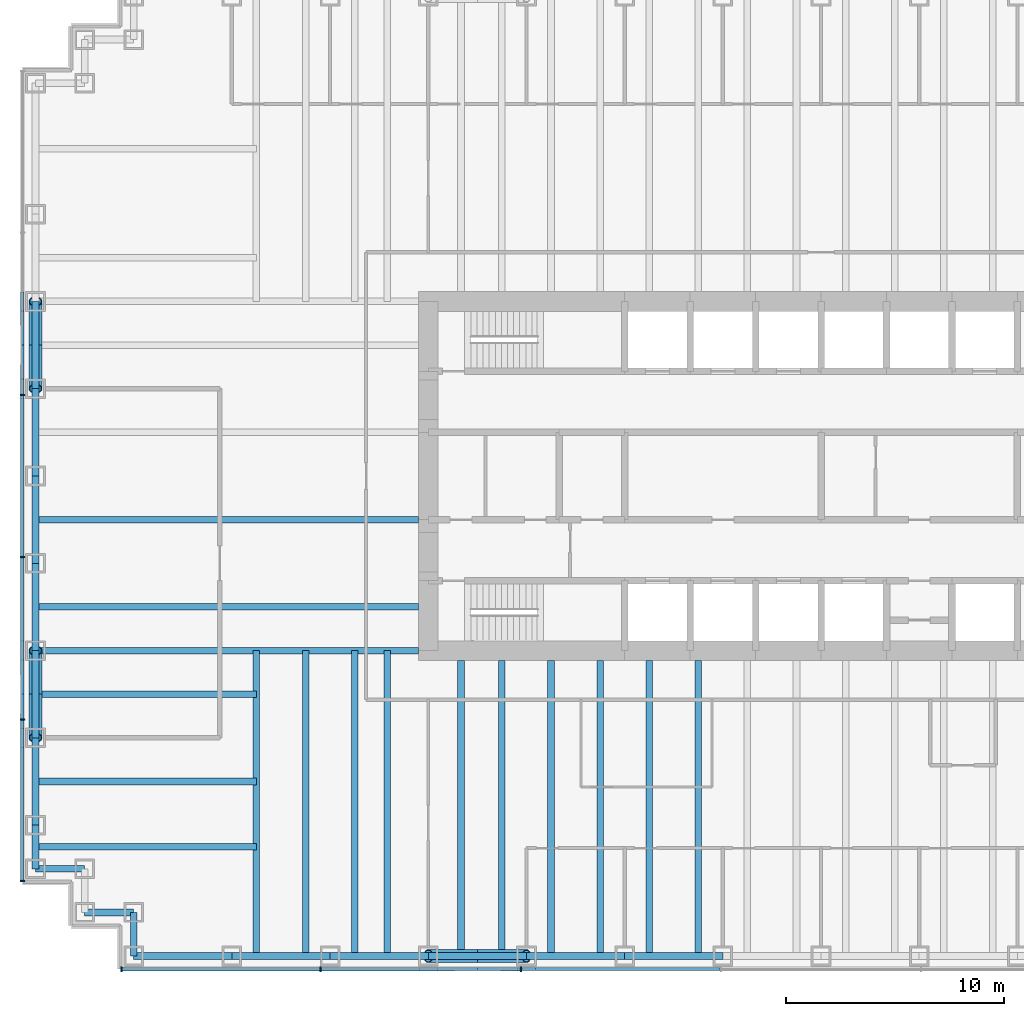
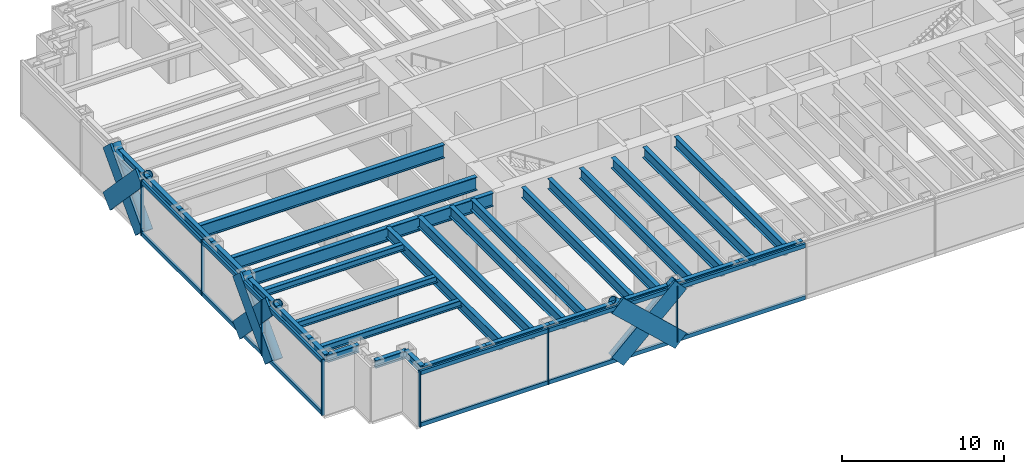
# One storey, part 2 of 19: 32 beams, 31 members, 2 elements without a shape of their own.
"""IFC4 building model written with IfcOpenShell, lengths in metres."""

from ifc_helpers import new_model, si_unit, direction, frame, origin, origin_2d, place, context, subcontext, project, spatial, rectangle, hollow_circle, i_section, extrude, material, material_profile, profile_set, type_object, element, aggregate, save


model = new_model("IFC4")

# Units and contexts
model_context = context("Model", 3, precision=1e-05, world=origin(), true_north=direction((0.0, 1.0)))
body_context = subcontext(model_context, "Body", "Model", "MODEL_VIEW")
ifc_project = project(units=[si_unit("LENGTHUNIT", "METRE"), si_unit("AREAUNIT", "SQUARE_METRE"), si_unit("VOLUMEUNIT", "CUBIC_METRE"), si_unit("PLANEANGLEUNIT", "RADIAN"), si_unit("MASSUNIT", "GRAM", prefix="KILO")], contexts=[model_context])

# Site, building, storey
site_placement = place(None, origin())
site = spatial("IfcSite", under=ifc_project, at=site_placement, CompositionType="ELEMENT")
building_placement = place(site_placement, origin())
building = spatial("IfcBuilding", under=site, at=building_placement, Name="Rheinbord Bourse Tower", CompositionType="ELEMENT")
storey_placement = place(building_placement, frame((0.0, 0.0, 167.699951171875)))
storey = spatial("IfcBuildingStorey", under=building, at=storey_placement, Name="L37", CompositionType="ELEMENT", Elevation=167.699951171875)

# Curtain wall, members
ifc_material_1 = material(Name="Dark glass and black aluminium", Category="aluminium")
curtain_wall_type = type_object("IfcCurtainWallType", Name="CW2 DARK GLASS CURTAIN WALL", PredefinedType="USERDEFINED", material=ifc_material_1)
curtain_wall_1_placement = place(storey_placement, origin())
curtain_wall_1 = element("IfcCurtainWall", 1, at=curtain_wall_1_placement, inside=storey, type_object=curtain_wall_type, Name="Curtain wall CW2 S L37", ObjectType="UNITISED CURTAIN WALL", PredefinedType="USERDEFINED")
ifc_material_2 = material(Name="Black anodised aluminium", Category="aluminium")
ifc_material_profile_1 = material_profile(ifc_material_2, rectangle(XDim=0.159912109375, YDim=1.2099609375, at=origin_2d()), Name="CW2 DIAGONAL MULLION 1210x160")
ifc_profile_set_1 = profile_set([ifc_material_profile_1], Name="Black anodised aluminium")
member_type_1 = type_object("IfcMemberType", Name="CW2 BLACK DIAGONAL MULLION", PredefinedType="USERDEFINED", material=ifc_profile_set_1)
member_1_placement = place(storey_placement, frame((22.5, 1.39990234375, 0.0), z_axis=(-0.73105922506, 0.0, 0.682314010889), x_axis=(0.0, -1.0, 0.0)))
member_1 = element("IfcMember", 2, at=member_1_placement, type_object=member_type_1, Name="CW2 diagonal mullion b", ObjectType="DIAGONAL MULLION", PredefinedType="USERDEFINED", context=body_context, shape_type="SweptSolid", body=[
    extrude(rectangle(XDim=0.159912109375, YDim=1.2099609375, at=origin_2d()), origin(), (0.0, 0.0, 1.0), 6.155517578125),
])
member_2_placement = place(storey_placement, frame((18.0, 1.39990234375, 0.0), z_axis=(0.73105922506, 0.0, 0.682314010889), x_axis=(0.0, 1.0, 0.0)))
member_2 = element("IfcMember", 3, at=member_2_placement, type_object=member_type_1, Name="CW2 diagonal mullion d", ObjectType="DIAGONAL MULLION", PredefinedType="USERDEFINED", context=body_context, shape_type="SweptSolid", body=[
    extrude(rectangle(XDim=0.159912109375, YDim=1.2099609375, at=origin_2d()), origin(), (0.0, 0.0, 1.0), 6.155517578125),
])

curtain_wall_2_placement = place(storey_placement, origin())
curtain_wall_2 = element("IfcCurtainWall", 4, at=curtain_wall_2_placement, inside=storey, type_object=curtain_wall_type, Name="Curtain wall CW2 W L37", ObjectType="UNITISED CURTAIN WALL", PredefinedType="USERDEFINED")
member_3_placement = place(storey_placement, frame((-0.60009765625, 12.0, 0.0), z_axis=(0.0, 0.689659376744, 0.724133926887), x_axis=(-1.0, 0.0, 0.0)))
member_3 = element("IfcMember", 5, at=member_3_placement, type_object=member_type_1, Name="CW2 diagonal mullion a", ObjectType="DIAGONAL MULLION", PredefinedType="USERDEFINED", context=body_context, shape_type="SweptSolid", body=[
    extrude(rectangle(XDim=0.159912109375, YDim=1.2099609375, at=origin_2d()), origin(), (0.0, 0.0, 1.0), 5.800048828125),
])
member_4_placement = place(storey_placement, frame((-0.60009765625, 32.0, 0.0), z_axis=(0.0, -0.689659376744, 0.724133926887), x_axis=(1.0, 0.0, 0.0)))
member_4 = element("IfcMember", 6, at=member_4_placement, type_object=member_type_1, Name="CW2 diagonal mullion b", ObjectType="DIAGONAL MULLION", PredefinedType="USERDEFINED", context=body_context, shape_type="SweptSolid", body=[
    extrude(rectangle(XDim=0.159912109375, YDim=1.2099609375, at=origin_2d()), origin(), (0.0, 0.0, 1.0), 5.800048828125),
])
member_5_placement = place(storey_placement, frame((-0.60009765625, 28.0, 0.0), z_axis=(0.0, 0.689659376744, 0.724133926887), x_axis=(-1.0, 0.0, 0.0)))
member_5 = element("IfcMember", 7, at=member_5_placement, type_object=member_type_1, Name="CW2 diagonal mullion c", ObjectType="DIAGONAL MULLION", PredefinedType="USERDEFINED", context=body_context, shape_type="SweptSolid", body=[
    extrude(rectangle(XDim=0.159912109375, YDim=1.2099609375, at=origin_2d()), origin(), (0.0, 0.0, 1.0), 5.800048828125),
])
member_6_placement = place(storey_placement, frame((-0.60009765625, 16.0, 0.0), z_axis=(0.0, -0.689659376744, 0.724133926887), x_axis=(1.0, 0.0, 0.0)))
member_6 = element("IfcMember", 8, at=member_6_placement, type_object=member_type_1, Name="CW2 diagonal mullion d", ObjectType="DIAGONAL MULLION", PredefinedType="USERDEFINED", context=body_context, shape_type="SweptSolid", body=[
    extrude(rectangle(XDim=0.159912109375, YDim=1.2099609375, at=origin_2d()), origin(), (0.0, 0.0, 1.0), 5.800048828125),
])

# Member
ifc_material_3 = material(Name="Black anodised aluminium", Category="aluminium")
ifc_material_profile_2 = material_profile(ifc_material_3, rectangle(XDim=0.219970703125, YDim=0.070068359375, at=origin_2d()), Name="CW2 MULLION 70x220")
ifc_profile_set_2 = profile_set([ifc_material_profile_2], Name="Black anodised aluminium")
member_type_2 = type_object("IfcMemberType", Name="CW2 BLACK MULLION", PredefinedType="MULLION", material=ifc_profile_set_2)
member_7_placement = place(storey_placement, frame((3.93505859375, 1.39990234375, 0.0), z_axis=(0.0, 0.0, 1.0), x_axis=(0.0, 1.0, 0.0)))
member_7 = element("IfcMember", 9, at=member_7_placement, type_object=member_type_2, Name="CW2 mullion 1", PredefinedType="MULLION", context=body_context, shape_type="SweptSolid", body=[
    extrude(rectangle(XDim=0.219970703125, YDim=0.070068359375, at=origin_2d()), origin(), (0.0, 0.0, 1.0), 4.199951171875),
])

member_8_placement = place(storey_placement, frame((13.071533203125, 1.39990234375, 0.0), z_axis=(0.0, 0.0, 1.0), x_axis=(0.0, 1.0, 0.0)))
member_8 = element("IfcMember", 10, at=member_8_placement, type_object=member_type_2, Name="CW2 mullion 2", PredefinedType="MULLION", context=body_context, shape_type="SweptSolid", body=[
    extrude(rectangle(XDim=0.219970703125, YDim=0.070068359375, at=origin_2d()), origin(), (0.0, 0.0, 1.0), 4.199951171875),
])

member_9_placement = place(storey_placement, frame((22.242919921875, 1.39990234375, 0.0), z_axis=(0.0, 0.0, 1.0), x_axis=(0.0, 1.0, 0.0)))
member_9 = element("IfcMember", 11, at=member_9_placement, type_object=member_type_2, Name="CW2 mullion 3", PredefinedType="MULLION", context=body_context, shape_type="SweptSolid", body=[
    extrude(rectangle(XDim=0.219970703125, YDim=0.070068359375, at=origin_2d()), origin(), (0.0, 0.0, 1.0), 4.199951171875),
])

member_10_placement = place(storey_placement, frame((-0.60009765625, 27.719970703125, 0.0), z_axis=(0.0, 0.0, 1.0), x_axis=(1.0, 0.0, 0.0)))
member_10 = element("IfcMember", 12, at=member_10_placement, type_object=member_type_2, Name="CW2 mullion 3", PredefinedType="MULLION", context=body_context, shape_type="SweptSolid", body=[
    extrude(rectangle(XDim=0.219970703125, YDim=0.070068359375, at=origin_2d()), origin(), (0.0, 0.0, 1.0), 4.199951171875),
])

member_11_placement = place(storey_placement, frame((-0.60009765625, 20.280029296875, 0.0), z_axis=(0.0, 0.0, 1.0), x_axis=(1.0, 0.0, 0.0)))
member_11 = element("IfcMember", 13, at=member_11_placement, type_object=member_type_2, Name="CW2 mullion 4", PredefinedType="MULLION", context=body_context, shape_type="SweptSolid", body=[
    extrude(rectangle(XDim=0.219970703125, YDim=0.070068359375, at=origin_2d()), origin(), (0.0, 0.0, 1.0), 4.199951171875),
])

member_12_placement = place(storey_placement, frame((-0.60009765625, 12.840087890625, 0.0), z_axis=(0.0, 0.0, 1.0), x_axis=(1.0, 0.0, 0.0)))
member_12 = element("IfcMember", 14, at=member_12_placement, type_object=member_type_2, Name="CW2 mullion 5", PredefinedType="MULLION", context=body_context, shape_type="SweptSolid", body=[
    extrude(rectangle(XDim=0.219970703125, YDim=0.070068359375, at=origin_2d()), origin(), (0.0, 0.0, 1.0), 4.199951171875),
])

member_13_placement = place(storey_placement, frame((-0.60009765625, 5.43505859375, 0.0), z_axis=(0.0, 0.0, 1.0), x_axis=(1.0, 0.0, 0.0)))
member_13 = element("IfcMember", 15, at=member_13_placement, type_object=member_type_2, Name="CW2 mullion 6", PredefinedType="MULLION", context=body_context, shape_type="SweptSolid", body=[
    extrude(rectangle(XDim=0.219970703125, YDim=0.070068359375, at=origin_2d()), origin(), (0.0, 0.0, 1.0), 4.199951171875),
])

ifc_material_4 = material(Name="Black anodised aluminium", Category="aluminium")
ifc_material_profile_3 = material_profile(ifc_material_4, rectangle(XDim=0.159912109375, YDim=0.300048828125, at=origin_2d()), Name="CW2 TRANSOM 300x160")
ifc_profile_set_3 = profile_set([ifc_material_profile_3], Name="Black anodised aluminium")
member_type_3 = type_object("IfcMemberType", Name="CW2 BLACK TRANSOM", PredefinedType="USERDEFINED", material=ifc_profile_set_3)
member_14_placement = place(storey_placement, frame((3.969970703125, 1.39990234375, 0.150146484375), z_axis=(1.0, 0.0, 0.0), x_axis=(0.0, 1.0, 0.0)))
member_14 = element("IfcMember", 16, at=member_14_placement, type_object=member_type_3, Name="CW2 transom 1.1", ObjectType="TRANSOM", PredefinedType="USERDEFINED", context=body_context, shape_type="SweptSolid", body=[
    extrude(rectangle(XDim=0.159912109375, YDim=0.300048828125, at=origin_2d()), origin(), (0.0, 0.0, 1.0), 9.06640625),
])

member_15_placement = place(storey_placement, frame((3.969970703125, 1.39990234375, 4.050048828125), z_axis=(1.0, 0.0, 0.0), x_axis=(0.0, 1.0, 0.0)))
member_15 = element("IfcMember", 17, at=member_15_placement, type_object=member_type_3, Name="CW2 transom 1.2", ObjectType="TRANSOM", PredefinedType="USERDEFINED", context=body_context, shape_type="SweptSolid", body=[
    extrude(rectangle(XDim=0.159912109375, YDim=0.300048828125, at=origin_2d()), origin(), (0.0, 0.0, 1.0), 9.06640625),
])

member_16_placement = place(storey_placement, frame((13.1064453125, 1.39990234375, 0.150146484375), z_axis=(1.0, 0.0, 0.0), x_axis=(0.0, 1.0, 0.0)))
member_16 = element("IfcMember", 18, at=member_16_placement, type_object=member_type_3, Name="CW2 transom 2.1", ObjectType="TRANSOM", PredefinedType="USERDEFINED", context=body_context, shape_type="SweptSolid", body=[
    extrude(rectangle(XDim=0.159912109375, YDim=0.300048828125, at=origin_2d()), origin(), (0.0, 0.0, 1.0), 9.101318359375),
])

member_17_placement = place(storey_placement, frame((13.1064453125, 1.39990234375, 4.050048828125), z_axis=(1.0, 0.0, 0.0), x_axis=(0.0, 1.0, 0.0)))
member_17 = element("IfcMember", 19, at=member_17_placement, type_object=member_type_3, Name="CW2 transom 2.2", ObjectType="TRANSOM", PredefinedType="USERDEFINED", context=body_context, shape_type="SweptSolid", body=[
    extrude(rectangle(XDim=0.159912109375, YDim=0.300048828125, at=origin_2d()), origin(), (0.0, 0.0, 1.0), 9.101318359375),
])

member_18_placement = place(storey_placement, frame((22.27783203125, 1.39990234375, 0.150146484375), z_axis=(1.0, 0.0, 0.0), x_axis=(0.0, 1.0, 0.0)))
member_18 = element("IfcMember", 20, at=member_18_placement, type_object=member_type_3, Name="CW2 transom 3.1", ObjectType="TRANSOM", PredefinedType="USERDEFINED", context=body_context, shape_type="SweptSolid", body=[
    extrude(rectangle(XDim=0.159912109375, YDim=0.300048828125, at=origin_2d()), origin(), (0.0, 0.0, 1.0), 9.1015625),
])

member_19_placement = place(storey_placement, frame((22.27783203125, 1.39990234375, 4.050048828125), z_axis=(1.0, 0.0, 0.0), x_axis=(0.0, 1.0, 0.0)))
member_19 = element("IfcMember", 21, at=member_19_placement, type_object=member_type_3, Name="CW2 transom 3.2", ObjectType="TRANSOM", PredefinedType="USERDEFINED", context=body_context, shape_type="SweptSolid", body=[
    extrude(rectangle(XDim=0.159912109375, YDim=0.300048828125, at=origin_2d()), origin(), (0.0, 0.0, 1.0), 9.1015625),
])

aggregate(curtain_wall_1, [member_7, member_8, member_9, member_14, member_15, member_16, member_17, member_18, member_19, member_1, member_2])

member_20_placement = place(storey_placement, frame((-0.60009765625, 27.68505859375, 0.150146484375), z_axis=(0.0, -1.0, 0.0), x_axis=(1.0, 0.0, 0.0)))
member_20 = element("IfcMember", 22, at=member_20_placement, type_object=member_type_3, Name="CW2 transom 3.1", ObjectType="TRANSOM", PredefinedType="USERDEFINED", context=body_context, shape_type="SweptSolid", body=[
    extrude(rectangle(XDim=0.159912109375, YDim=0.300048828125, at=origin_2d()), origin(), (0.0, 0.0, 1.0), 7.3701171875),
])

member_21_placement = place(storey_placement, frame((-0.60009765625, 27.68505859375, 4.050048828125), z_axis=(0.0, -1.0, 0.0), x_axis=(1.0, 0.0, 0.0)))
member_21 = element("IfcMember", 23, at=member_21_placement, type_object=member_type_3, Name="CW2 transom 3.2", ObjectType="TRANSOM", PredefinedType="USERDEFINED", context=body_context, shape_type="SweptSolid", body=[
    extrude(rectangle(XDim=0.159912109375, YDim=0.300048828125, at=origin_2d()), origin(), (0.0, 0.0, 1.0), 7.3701171875),
])

member_22_placement = place(storey_placement, frame((-0.60009765625, 20.2451171875, 0.150146484375), z_axis=(0.0, -1.0, 0.0), x_axis=(1.0, 0.0, 0.0)))
member_22 = element("IfcMember", 24, at=member_22_placement, type_object=member_type_3, Name="CW2 transom 4.1", ObjectType="TRANSOM", PredefinedType="USERDEFINED", context=body_context, shape_type="SweptSolid", body=[
    extrude(rectangle(XDim=0.159912109375, YDim=0.300048828125, at=origin_2d()), origin(), (0.0, 0.0, 1.0), 7.3701171875),
])

member_23_placement = place(storey_placement, frame((-0.60009765625, 20.2451171875, 4.050048828125), z_axis=(0.0, -1.0, 0.0), x_axis=(1.0, 0.0, 0.0)))
member_23 = element("IfcMember", 25, at=member_23_placement, type_object=member_type_3, Name="CW2 transom 4.2", ObjectType="TRANSOM", PredefinedType="USERDEFINED", context=body_context, shape_type="SweptSolid", body=[
    extrude(rectangle(XDim=0.159912109375, YDim=0.300048828125, at=origin_2d()), origin(), (0.0, 0.0, 1.0), 7.3701171875),
])

member_24_placement = place(storey_placement, frame((-0.60009765625, 12.804931640625, 0.150146484375), z_axis=(0.0, -1.0, 0.0), x_axis=(1.0, 0.0, 0.0)))
member_24 = element("IfcMember", 26, at=member_24_placement, type_object=member_type_3, Name="CW2 transom 5.1", ObjectType="TRANSOM", PredefinedType="USERDEFINED", context=body_context, shape_type="SweptSolid", body=[
    extrude(rectangle(XDim=0.159912109375, YDim=0.300048828125, at=origin_2d()), origin(), (0.0, 0.0, 1.0), 7.3349609375),
])

member_25_placement = place(storey_placement, frame((-0.60009765625, 12.804931640625, 4.050048828125), z_axis=(0.0, -1.0, 0.0), x_axis=(1.0, 0.0, 0.0)))
member_25 = element("IfcMember", 27, at=member_25_placement, type_object=member_type_3, Name="CW2 transom 5.2", ObjectType="TRANSOM", PredefinedType="USERDEFINED", context=body_context, shape_type="SweptSolid", body=[
    extrude(rectangle(XDim=0.159912109375, YDim=0.300048828125, at=origin_2d()), origin(), (0.0, 0.0, 1.0), 7.3349609375),
])

aggregate(curtain_wall_2, [member_10, member_11, member_12, member_13, member_20, member_21, member_22, member_23, member_24, member_25, member_3, member_4, member_5, member_6])

# Beams
ifc_material_5 = material(Name="Steel S460", Category="steel")
ifc_material_profile_4 = material_profile(ifc_material_5, i_section(OverallWidth=0.302001953125, OverallDepth=1.008056640625, WebThickness=0.02099609375, FlangeThickness=0.0400390625, at=origin_2d()), Name="HEM 1000")
ifc_profile_set_4 = profile_set([ifc_material_profile_4], Name="Steel S460")
beam_type_1 = type_object("IfcBeamType", Name="END BEAM HEM 1000", PredefinedType="BEAM", material=ifc_profile_set_4)
for number, where, z_axis, x_axis, name in (
    (28, (0.0, 18.0, 3.5361328125), (1.0, 0.0, 0.0), (0.0, 1.0, 0.0), "End beam west 18 L38"),
    (29, (0.0, 22.0, 3.5361328125), (1.0, 0.0, 0.0), (0.0, 1.0, 0.0), "End beam west 22 L38"),
):
    element("IfcBeam", number, at=place(storey_placement, frame(where, z_axis=z_axis, x_axis=x_axis)), inside=storey, type_object=beam_type_1, Name=name, PredefinedType="BEAM", context=body_context, shape_type="SweptSolid", body=[
        extrude(i_section(OverallWidth=0.302001953125, OverallDepth=1.008056640625, WebThickness=0.02099609375, FlangeThickness=0.0400390625, at=origin_2d()), origin(), (0.0, 0.0, 1.0), 17.550048828125),
    ])
ifc_material_6 = material(Name="Steel S460", Category="steel")
ifc_material_profile_5 = material_profile(ifc_material_6, i_section(OverallWidth=0.300048828125, OverallDepth=0.800048828125, WebThickness=0.017578125, FlangeThickness=0.032958984375, at=origin_2d()), Name="HEB 800")
ifc_profile_set_5 = profile_set([ifc_material_profile_5], Name="Steel S460")
beam_type_2 = type_object("IfcBeamType", Name="FLOOR BEAM HEB 800", PredefinedType="BEAM", material=ifc_profile_set_5)
for number, where, z_axis, x_axis, name in (
    (30, (10.125, 2.0, 3.64013671875), (0.0, 1.0, 0.0), (-1.0, 0.0, 0.0), "Floor beam S-9a L38"),
    (31, (12.375, 2.0, 3.64013671875), (0.0, 1.0, 0.0), (-1.0, 0.0, 0.0), "Floor beam S-9b L38"),
    (32, (14.625, 2.0, 3.64013671875), (0.0, 1.0, 0.0), (-1.0, 0.0, 0.0), "Floor beam S-13.5a L38"),
    (33, (16.125, 2.0, 3.64013671875), (0.0, 1.0, 0.0), (-1.0, 0.0, 0.0), "Floor beam S-13.5b L38"),
):
    element("IfcBeam", number, at=place(storey_placement, frame(where, z_axis=z_axis, x_axis=x_axis)), inside=storey, type_object=beam_type_2, Name=name, PredefinedType="BEAM", context=body_context, shape_type="SweptSolid", body=[
        extrude(i_section(OverallWidth=0.300048828125, OverallDepth=0.800048828125, WebThickness=0.017578125, FlangeThickness=0.032958984375, at=origin_2d()), origin(), (0.0, 0.0, 1.0), 14.0),
    ])
for number, where, z_axis, x_axis, name in (
    (34, (19.5, 2.0, 3.64013671875), (0.0, 1.0, 0.0), (-1.0, 0.0, 0.0), "Floor beam S-18a L38"),
    (35, (21.375, 2.0, 3.64013671875), (0.0, 1.0, 0.0), (-1.0, 0.0, 0.0), "Floor beam S-18b L38"),
    (36, (23.625, 2.0, 3.64013671875), (0.0, 1.0, 0.0), (-1.0, 0.0, 0.0), "Floor beam S-22.5a L38"),
    (37, (25.875, 2.0, 3.64013671875), (0.0, 1.0, 0.0), (-1.0, 0.0, 0.0), "Floor beam S-22.5b L38"),
    (38, (28.125, 2.0, 3.64013671875), (0.0, 1.0, 0.0), (-1.0, 0.0, 0.0), "Floor beam S-27a L38"),
    (39, (30.375, 2.0, 3.64013671875), (0.0, 1.0, 0.0), (-1.0, 0.0, 0.0), "Floor beam S-27b L38"),
):
    element("IfcBeam", number, at=place(storey_placement, frame(where, z_axis=z_axis, x_axis=x_axis)), inside=storey, type_object=beam_type_2, Name=name, PredefinedType="BEAM", context=body_context, shape_type="SweptSolid", body=[
        extrude(i_section(OverallWidth=0.300048828125, OverallDepth=0.800048828125, WebThickness=0.017578125, FlangeThickness=0.032958984375, at=origin_2d()), origin(), (0.0, 0.0, 1.0), 13.550048828125),
    ])
ifc_material_7 = material(Name="Steel S460", Category="steel")
ifc_material_profile_6 = material_profile(ifc_material_7, i_section(OverallWidth=0.302001953125, OverallDepth=1.008056640625, WebThickness=0.02099609375, FlangeThickness=0.0400390625, at=origin_2d()), Name="HEM 1000")
ifc_profile_set_6 = profile_set([ifc_material_profile_6], Name="Steel S460")
beam_type_3 = type_object("IfcBeamType", Name="GIRDER HEM 1000", PredefinedType="BEAM", material=ifc_profile_set_6)
beam_1_placement = place(storey_placement, frame((0.0, 16.0, 3.5361328125), z_axis=(1.0, 0.0, 0.0), x_axis=(0.0, 1.0, 0.0)))
element("IfcBeam", 40, at=beam_1_placement, inside=storey, type_object=beam_type_3, Name="Girder west 16 L38", PredefinedType="BEAM", context=body_context, shape_type="SweptSolid", body=[
    extrude(i_section(OverallWidth=0.302001953125, OverallDepth=1.008056640625, WebThickness=0.02099609375, FlangeThickness=0.0400390625, at=origin_2d()), origin(), (0.0, 0.0, 1.0), 17.550048828125),
])

# Members
ifc_material_8 = material(Name="Steel S460", Category="steel")
ifc_material_profile_7 = material_profile(ifc_material_8, hollow_circle(Radius=0.304931640625, WallThickness=0.0400390625, at=origin_2d()), Name="CHS 610x40")
ifc_profile_set_7 = profile_set([ifc_material_profile_7], Name="Steel S460")
member_type_4 = type_object("IfcMemberType", Name="MEGABRACE CHS 610x40", PredefinedType="BRACE", material=ifc_profile_set_7)
for number, where, z_axis, x_axis, name in (
    (41, (22.5, 2.0, 0.0), (-0.73105922506, 0.0, 0.682314010889), (0.0, -1.0, 0.0), "Megabrace S face line b L37"),
    (42, (18.0, 2.0, 0.0), (0.73105922506, 0.0, 0.682314010889), (0.0, 1.0, 0.0), "Megabrace S face line d L37"),
):
    element("IfcMember", number, at=place(storey_placement, frame(where, z_axis=z_axis, x_axis=x_axis)), inside=storey, type_object=member_type_4, Name=name, PredefinedType="BRACE", context=body_context, shape_type="SweptSolid", body=[
        extrude(hollow_circle(Radius=0.304931640625, WallThickness=0.0400390625, at=origin_2d()), origin(), (0.0, 0.0, 1.0), 6.155517578125),
    ])
for number, where, z_axis, x_axis, name in (
    (43, (0.0, 12.0, 0.0), (0.0, 0.689659376744, 0.724133926887), (-1.0, 0.0, 0.0), "Megabrace W face line a L37"),
    (44, (0.0, 32.0, 0.0), (0.0, -0.689659376744, 0.724133926887), (1.0, 0.0, 0.0), "Megabrace W face line b L37"),
    (45, (0.0, 28.0, 0.0), (0.0, 0.689659376744, 0.724133926887), (-1.0, 0.0, 0.0), "Megabrace W face line c L37"),
    (46, (0.0, 16.0, 0.0), (0.0, -0.689659376744, 0.724133926887), (1.0, 0.0, 0.0), "Megabrace W face line d L37"),
):
    element("IfcMember", number, at=place(storey_placement, frame(where, z_axis=z_axis, x_axis=x_axis)), inside=storey, type_object=member_type_4, Name=name, PredefinedType="BRACE", context=body_context, shape_type="SweptSolid", body=[
        extrude(hollow_circle(Radius=0.304931640625, WallThickness=0.0400390625, at=origin_2d()), origin(), (0.0, 0.0, 1.0), 5.800048828125),
    ])

# Beams
ifc_material_9 = material(Name="Steel S460", Category="steel")
ifc_material_profile_8 = material_profile(ifc_material_9, i_section(OverallWidth=0.305908203125, OverallDepth=0.572021484375, WebThickness=0.02099609375, FlangeThickness=0.0400390625, at=origin_2d()), Name="HEM 550")
ifc_profile_set_8 = profile_set([ifc_material_profile_8], Name="Steel S460")
beam_type_4 = type_object("IfcBeamType", Name="SPANDREL HEM 550", PredefinedType="SPANDREL", material=ifc_profile_set_8)
for number, where, z_axis, x_axis, name in (
    (47, (4.5, 2.0, 3.754150390625), (1.0, 0.0, 0.0), (0.0, 1.0, 0.0), "Spandrel SW-E-S-9 under L38"),
    (48, (9.0, 2.0, 3.754150390625), (1.0, 0.0, 0.0), (0.0, 1.0, 0.0), "Spandrel S-9-S-13.5 under L38"),
    (49, (13.5, 2.0, 3.754150390625), (1.0, 0.0, 0.0), (0.0, 1.0, 0.0), "Spandrel S-13.5-S-18 under L38"),
    (50, (18.0, 2.0, 3.754150390625), (1.0, 0.0, 0.0), (0.0, 1.0, 0.0), "Spandrel S-18-S-22.5 under L38"),
    (51, (22.5, 2.0, 3.754150390625), (1.0, 0.0, 0.0), (0.0, 1.0, 0.0), "Spandrel S-22.5-S-27 under L38"),
    (52, (27.0, 2.0, 3.754150390625), (1.0, 0.0, 0.0), (0.0, 1.0, 0.0), "Spandrel S-27-S-31.5 under L38"),
):
    element("IfcBeam", number, at=place(storey_placement, frame(where, z_axis=z_axis, x_axis=x_axis)), inside=storey, type_object=beam_type_4, Name=name, PredefinedType="SPANDREL", context=body_context, shape_type="SweptSolid", body=[
        extrude(i_section(OverallWidth=0.305908203125, OverallDepth=0.572021484375, WebThickness=0.02099609375, FlangeThickness=0.0400390625, at=origin_2d()), origin(), (0.0, 0.0, 1.0), 4.5),
    ])
for number, where, z_axis, x_axis, name in (
    (53, (0.0, 32.0, 3.754150390625), (0.0, -1.0, 0.0), (1.0, 0.0, 0.0), "Spandrel W-32-W-28 under L38"),
    (54, (0.0, 28.0, 3.754150390625), (0.0, -1.0, 0.0), (1.0, 0.0, 0.0), "Spandrel W-28-W-24 under L38"),
    (55, (0.0, 24.0, 3.754150390625), (0.0, -1.0, 0.0), (1.0, 0.0, 0.0), "Spandrel W-24-W-20 under L38"),
    (56, (0.0, 20.0, 3.754150390625), (0.0, -1.0, 0.0), (1.0, 0.0, 0.0), "Spandrel W-20-W-16 under L38"),
    (57, (0.0, 16.0, 3.754150390625), (0.0, -1.0, 0.0), (1.0, 0.0, 0.0), "Spandrel W-16-W-12 under L38"),
    (58, (0.0, 12.0, 3.754150390625), (0.0, -1.0, 0.0), (1.0, 0.0, 0.0), "Spandrel W-12-W-8 under L38"),
):
    element("IfcBeam", number, at=place(storey_placement, frame(where, z_axis=z_axis, x_axis=x_axis)), inside=storey, type_object=beam_type_4, Name=name, PredefinedType="SPANDREL", context=body_context, shape_type="SweptSolid", body=[
        extrude(i_section(OverallWidth=0.305908203125, OverallDepth=0.572021484375, WebThickness=0.02099609375, FlangeThickness=0.0400390625, at=origin_2d()), origin(), (0.0, 0.0, 1.0), 4.0),
    ])
beam_2_placement = place(storey_placement, frame((0.0, 8.0, 3.754150390625), z_axis=(0.0, -1.0, 0.0), x_axis=(1.0, 0.0, 0.0)))
element("IfcBeam", 59, at=beam_2_placement, inside=storey, type_object=beam_type_4, Name="Spandrel W-8-SW-A under L38", PredefinedType="SPANDREL", context=body_context, shape_type="SweptSolid", body=[
    extrude(i_section(OverallWidth=0.305908203125, OverallDepth=0.572021484375, WebThickness=0.02099609375, FlangeThickness=0.0400390625, at=origin_2d()), origin(), (0.0, 0.0, 1.0), 2.0),
])
for number, where, z_axis, x_axis, name in (
    (60, (0.0, 6.0, 3.754150390625), (1.0, 0.0, 0.0), (0.0, 1.0, 0.0), "Spandrel SW-A-SW-B under L38"),
    (61, (2.25, 4.0, 3.754150390625), (1.0, 0.0, 0.0), (0.0, 1.0, 0.0), "Spandrel SW-C-SW-D under L38"),
):
    element("IfcBeam", number, at=place(storey_placement, frame(where, z_axis=z_axis, x_axis=x_axis)), inside=storey, type_object=beam_type_4, Name=name, PredefinedType="SPANDREL", context=body_context, shape_type="SweptSolid", body=[
        extrude(i_section(OverallWidth=0.305908203125, OverallDepth=0.572021484375, WebThickness=0.02099609375, FlangeThickness=0.0400390625, at=origin_2d()), origin(), (0.0, 0.0, 1.0), 2.25),
    ])
beam_3_placement = place(storey_placement, frame((4.5, 4.0, 3.754150390625), z_axis=(0.0, -1.0, 0.0), x_axis=(1.0, 0.0, 0.0)))
element("IfcBeam", 62, at=beam_3_placement, inside=storey, type_object=beam_type_4, Name="Spandrel SW-D-SW-E under L38", PredefinedType="SPANDREL", context=body_context, shape_type="SweptSolid", body=[
    extrude(i_section(OverallWidth=0.305908203125, OverallDepth=0.572021484375, WebThickness=0.02099609375, FlangeThickness=0.0400390625, at=origin_2d()), origin(), (0.0, 0.0, 1.0), 2.0),
])
ifc_material_10 = material(Name="Steel S460", Category="steel")
ifc_material_profile_9 = material_profile(ifc_material_10, i_section(OverallWidth=0.300048828125, OverallDepth=0.5, WebThickness=0.014404296875, FlangeThickness=0.028076171875, at=origin_2d()), Name="HEB 500")
ifc_profile_set_9 = profile_set([ifc_material_profile_9], Name="Steel S460")
beam_type_5 = type_object("IfcBeamType", Name="TIE BEAM HEB 500", PredefinedType="JOIST", material=ifc_profile_set_9)
for number, where, z_axis, x_axis, name in (
    (63, (0.0, 7.0, 3.7900390625), (1.0, 0.0, 0.0), (0.0, 1.0, 0.0), "Tie west 7 L38"),
    (64, (0.0, 10.0, 3.7900390625), (1.0, 0.0, 0.0), (0.0, 1.0, 0.0), "Tie west 10 L38"),
    (65, (0.0, 14.0, 3.7900390625), (1.0, 0.0, 0.0), (0.0, 1.0, 0.0), "Tie west 14 L38"),
):
    element("IfcBeam", number, at=place(storey_placement, frame(where, z_axis=z_axis, x_axis=x_axis)), inside=storey, type_object=beam_type_5, Name=name, PredefinedType="JOIST", context=body_context, shape_type="SweptSolid", body=[
        extrude(i_section(OverallWidth=0.300048828125, OverallDepth=0.5, WebThickness=0.014404296875, FlangeThickness=0.028076171875, at=origin_2d()), origin(), (0.0, 0.0, 1.0), 10.125),
    ])

save(model, "model.ifc")
